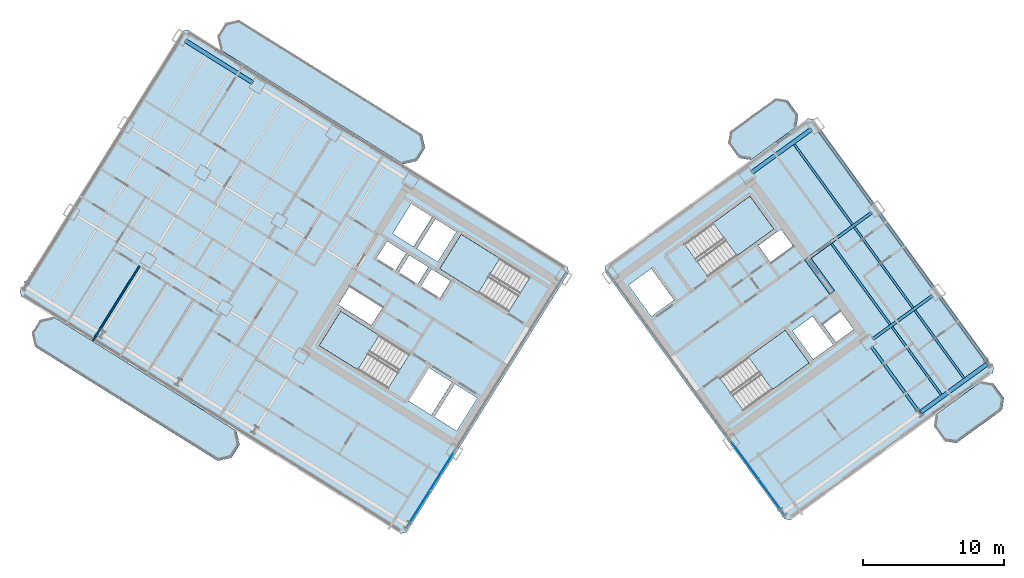
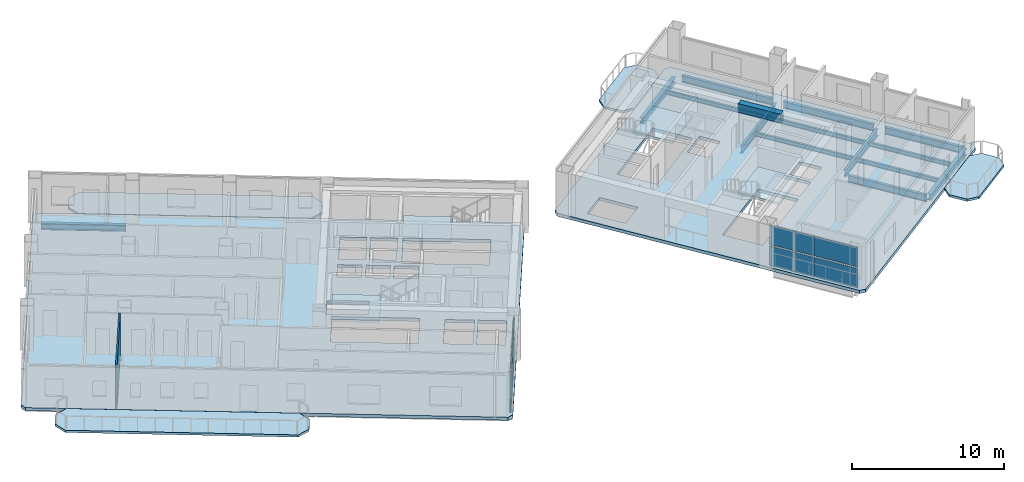
# One storey, part 9 of 19: 15 beams, 10 slabs, 8 plates, 1 wall, 6 elements without a shape of their own.
"""IFC4 building model written with IfcOpenShell, lengths in metres."""

from ifc_helpers import new_model, si_unit, direction, frame, frame_2d, origin, origin_2d, place, context, subcontext, project, spatial, polyline, rectangle, i_section, outline, extrude, source, transform, mapped, material, layer, layer_set, material_profile, profile_set, type_object, element, aggregate, save


model = new_model("IFC4")

# Units and contexts
model_context = context("Model", 3, precision=1e-05, world=origin(), true_north=direction((0.0, 1.0)))
body_context = subcontext(model_context, "Body", "Model", "MODEL_VIEW")
ifc_project = project(units=[si_unit("LENGTHUNIT", "METRE"), si_unit("AREAUNIT", "SQUARE_METRE"), si_unit("VOLUMEUNIT", "CUBIC_METRE"), si_unit("PLANEANGLEUNIT", "RADIAN"), si_unit("MASSUNIT", "GRAM", prefix="KILO")], contexts=[model_context])

# Site, building, storey
site_placement = place(None, origin())
site = spatial("IfcSite", under=ifc_project, at=site_placement, CompositionType="ELEMENT")
building_placement = place(site_placement, origin())
building = spatial("IfcBuilding", under=site, at=building_placement, Name="Tlacorven Tower", CompositionType="ELEMENT")
storey_placement = place(building_placement, frame((0.0, 0.0, 144.300048828125)))
storey = spatial("IfcBuildingStorey", under=building, at=storey_placement, Name="L36", CompositionType="ELEMENT", Elevation=144.300048828125)

# Beams
ifc_material_1 = material(Name="Concrete C60/75", Category="concrete")
ifc_material_profile_1 = material_profile(ifc_material_1, rectangle(XDim=0.449951171875, YDim=0.699951171875, at=origin_2d()), Name="RC 450X700")
ifc_profile_set_1 = profile_set([ifc_material_profile_1], Name="Concrete C60/75")
beam_type_1 = type_object("IfcBeamType", Name="BM-LNT-700", PredefinedType="LINTEL", material=ifc_profile_set_1)
shared_shape_1 = source(origin(), body_context, "Body", "SweptSolid", [
    extrude(rectangle(XDim=0.449951171875, YDim=0.699951171875, at=origin_2d()), origin(), (0.0, 0.0, 1.0), 3.050048828125),
])
beam_1_placement = place(storey_placement, frame((59.856689453125, 23.345947265625, 3.0), z_axis=(-0.587776590479, 0.80902328748, 0.0), x_axis=(-0.80902328748, -0.587776590479, 0.0)))
element("IfcBeam", 1, at=beam_1_placement, inside=storey, type_object=beam_type_1, Name="L36 E core coupling lintel beam E2", PredefinedType="LINTEL", context=body_context, shape_type="MappedRepresentation", body=[
    mapped(shared_shape_1, transform((0.0, 0.0, 0.0), scale=1.0)),
])
ifc_material_2 = material(Name="Steel S355J2", Category="steel")
ifc_material_profile_2 = material_profile(ifc_material_2, i_section(OverallWidth=0.300048828125, OverallDepth=0.489990234375, WebThickness=0.011962890625, FlangeThickness=0.02294921875, at=origin_2d()), Name="HEA 500")
ifc_profile_set_2 = profile_set([ifc_material_profile_2], Name="Steel S355J2")
beam_type_2 = type_object("IfcBeamType", Name="BM-SPN-500", PredefinedType="SPANDREL", material=ifc_profile_set_2)
shared_shape_2 = source(origin(), body_context, "Body", "SweptSolid", [
    extrude(i_section(OverallWidth=0.300048828125, OverallDepth=0.489990234375, WebThickness=0.011962890625, FlangeThickness=0.02294921875, at=origin_2d()), origin(), (0.0, 0.0, 1.0), 5.800048828125),
])
beam_2_placement = place(storey_placement, frame((66.138671875, 14.86962890625, -0.4951171875), z_axis=(0.809019944521, 0.587781191743, 0.0), x_axis=(-0.587781191743, 0.809019944521, 0.0)))
element("IfcBeam", 2, at=beam_2_placement, inside=storey, type_object=beam_type_2, Name="L36 beam BM-L36-EL1-3", PredefinedType="SPANDREL", context=body_context, shape_type="MappedRepresentation", body=[
    mapped(shared_shape_2, transform((0.0, 0.0, 0.0), scale=1.0)),
])
shared_shape_3 = source(origin(), body_context, "Body", "SweptSolid", [
    extrude(i_section(OverallWidth=0.300048828125, OverallDepth=0.489990234375, WebThickness=0.011962890625, FlangeThickness=0.02294921875, at=origin_2d()), origin(), (0.0, 0.0, 1.0), 5.599853515625),
])
beam_3_placement = place(storey_placement, frame((18.733642578125, 38.246337890625, -0.4951171875), z_axis=(-0.848047285686, 0.529920561254, 0.0), x_axis=(-0.529920561254, -0.848047285686, 0.0)))
element("IfcBeam", 3, at=beam_3_placement, inside=storey, type_object=beam_type_2, Name="L36 beam BM-L36-WL1-5", PredefinedType="SPANDREL", context=body_context, shape_type="MappedRepresentation", body=[
    mapped(shared_shape_3, transform((0.0, 0.0, 0.0), scale=1.0)),
])
ifc_material_profile_3 = material_profile(ifc_material_2, i_section(OverallWidth=0.2099609375, OverallDepth=0.550048828125, WebThickness=0.010986328125, FlangeThickness=0.01708984375, at=origin_2d()), Name="IPE 550")
ifc_profile_set_3 = profile_set([ifc_material_profile_3], Name="Steel S355J2")
beam_type_3 = type_object("IfcBeamType", Name="BM-TWR-550", PredefinedType="BEAM", material=ifc_profile_set_3)
shared_shape_4 = source(origin(), body_context, "Body", "SweptSolid", [
    extrude(i_section(OverallWidth=0.2099609375, OverallDepth=0.550048828125, WebThickness=0.010986328125, FlangeThickness=0.01708984375, at=origin_2d()), origin(), (0.0, 0.0, 1.0), 5.7001953125),
])
beam_4_placement = place(storey_placement, frame((70.853271484375, 18.41845703125, -0.525146484375), z_axis=(-0.587766699507, 0.809030473438, 0.0), x_axis=(-0.809030473438, -0.587766699507, 0.0)))
element("IfcBeam", 4, at=beam_4_placement, inside=storey, type_object=beam_type_3, Name="L36 beam BM-L36-ET4-1", PredefinedType="BEAM", context=body_context, shape_type="MappedRepresentation", body=[
    mapped(shared_shape_4, transform((0.0, 0.0, 0.0), scale=1.0)),
])
shared_shape_5 = source(origin(), body_context, "Body", "SweptSolid", [
    extrude(i_section(OverallWidth=0.2099609375, OverallDepth=0.550048828125, WebThickness=0.010986328125, FlangeThickness=0.01708984375, at=origin_2d()), origin(), (0.0, 0.0, 1.0), 5.699951171875),
])
beam_5_placement = place(storey_placement, frame((65.9990234375, 14.891845703125, -0.525146484375), z_axis=(-0.587787066966, 0.809015675935, 0.0), x_axis=(-0.809015675935, -0.587787066966, 0.0)))
element("IfcBeam", 5, at=beam_5_placement, inside=storey, type_object=beam_type_3, Name="L36 beam BM-L36-ET3-1", PredefinedType="BEAM", context=body_context, shape_type="MappedRepresentation", body=[
    mapped(shared_shape_5, transform((0.0, 0.0, 0.0), scale=1.0)),
])
shared_shape_6 = source(origin(), body_context, "Body", "SweptSolid", [
    extrude(i_section(OverallWidth=0.2099609375, OverallDepth=0.550048828125, WebThickness=0.010986328125, FlangeThickness=0.01708984375, at=origin_2d()), origin(), (0.0, 0.0, 1.0), 6.5),
])
for number, where, z_axis, x_axis, name in (
    (6, (67.03271484375, 23.67724609375, -0.525146484375), (-0.587809847215, 0.808999124547, 0.0), (-0.808999124547, -0.587809847215, 0.0), "L36 beam BM-L36-ET4-2"),
    (7, (62.74169921875, 29.5830078125, -0.525146484375), (-0.587785264321, 0.809016985636, 0.0), (-0.809016985636, -0.587785264321, 0.0), "L36 beam BM-L36-ET4-3"),
):
    element("IfcBeam", number, at=place(storey_placement, frame(where, z_axis=z_axis, x_axis=x_axis)), inside=storey, type_object=beam_type_3, Name=name, PredefinedType="BEAM", context=body_context, shape_type="MappedRepresentation", body=[
        mapped(shared_shape_6, transform((0.0, 0.0, 0.0), scale=1.0)),
    ])
shared_shape_7 = source(origin(), body_context, "Body", "SweptSolid", [
    extrude(i_section(OverallWidth=0.2099609375, OverallDepth=0.550048828125, WebThickness=0.010986328125, FlangeThickness=0.01708984375, at=origin_2d()), origin(), (0.0, 0.0, 1.0), 5.56005859375),
])
beam_6_placement = place(storey_placement, frame((58.155029296875, 25.756103515625, -0.525146484375), z_axis=(0.809028396397, 0.587769558435, 0.0), x_axis=(-0.587769558435, 0.809028396397, 0.0)))
element("IfcBeam", 8, at=beam_6_placement, inside=storey, type_object=beam_type_3, Name="L36 beam BM-L36-EL3-3", PredefinedType="BEAM", context=body_context, shape_type="MappedRepresentation", body=[
    mapped(shared_shape_7, transform((0.0, 0.0, 0.0), scale=1.0)),
])
ifc_material_profile_4 = material_profile(ifc_material_2, i_section(OverallWidth=0.159912109375, OverallDepth=0.330078125, WebThickness=0.007568359375, FlangeThickness=0.011474609375, at=origin_2d()), Name="IPE 330")
ifc_profile_set_4 = profile_set([ifc_material_profile_4], Name="Steel S355J2")
beam_type_4 = type_object("IfcBeamType", Name="BM-JST-330", PredefinedType="JOIST", material=ifc_profile_set_4)
shared_shape_8 = source(origin(), body_context, "Body", "SweptSolid", [
    extrude(i_section(OverallWidth=0.159912109375, OverallDepth=0.330078125, WebThickness=0.007568359375, FlangeThickness=0.011474609375, at=origin_2d()), origin(), (0.0, 0.0, 1.0), 5.93505859375),
])
for number, where, z_axis, x_axis, name in (
    (9, (67.584716796875, 16.11181640625, -0.4150390625), (-0.58778762431, 0.809015270998, 0.0), (-0.809015270998, -0.58778762431, 0.0), "L36 beam BM-L36-EJ3-1-1"),
    (10, (69.202880859375, 17.287353515625, -0.4150390625), (-0.58778762431, 0.809015270998, 0.0), (-0.809015270998, -0.58778762431, 0.0), "L36 beam BM-L36-EJ3-1-2"),
):
    element("IfcBeam", number, at=place(storey_placement, frame(where, z_axis=z_axis, x_axis=x_axis)), inside=storey, type_object=beam_type_4, Name=name, PredefinedType="JOIST", context=body_context, shape_type="MappedRepresentation", body=[
        mapped(shared_shape_8, transform((0.0, 0.0, 0.0), scale=1.0)),
    ])
shared_shape_9 = source(origin(), body_context, "Body", "SweptSolid", [
    extrude(i_section(OverallWidth=0.159912109375, OverallDepth=0.330078125, WebThickness=0.007568359375, FlangeThickness=0.011474609375, at=origin_2d()), origin(), (0.0, 0.0, 1.0), 7.080078125),
])
beam_7_placement = place(storey_placement, frame((65.5849609375, 22.266845703125, -0.4150390625), z_axis=(-0.587759505125, 0.809035700161, 0.0), x_axis=(-0.809035700161, -0.587759505125, 0.0)))
element("IfcBeam", 11, at=beam_7_placement, inside=storey, type_object=beam_type_4, Name="L36 beam BM-L36-EJ3-2-2", PredefinedType="JOIST", context=body_context, shape_type="MappedRepresentation", body=[
    mapped(shared_shape_9, transform((0.0, 0.0, 0.0), scale=1.0)),
])
shared_shape_10 = source(origin(), body_context, "Body", "SweptSolid", [
    extrude(i_section(OverallWidth=0.159912109375, OverallDepth=0.330078125, WebThickness=0.007568359375, FlangeThickness=0.011474609375, at=origin_2d()), origin(), (0.0, 0.0, 1.0), 7.034912109375),
])
beam_8_placement = place(storey_placement, frame((61.294189453125, 28.1728515625, -0.4150390625), z_axis=(-0.587781631373, 0.809019625115, 0.0), x_axis=(-0.809019625115, -0.587781631373, 0.0)))
element("IfcBeam", 12, at=beam_8_placement, inside=storey, type_object=beam_type_4, Name="L36 beam BM-L36-EJ3-3-2", PredefinedType="JOIST", context=body_context, shape_type="MappedRepresentation", body=[
    mapped(shared_shape_10, transform((0.0, 0.0, 0.0), scale=1.0)),
])
shared_shape_11 = source(origin(), body_context, "Body", "SweptSolid", [
    extrude(i_section(OverallWidth=0.159912109375, OverallDepth=0.330078125, WebThickness=0.007568359375, FlangeThickness=0.011474609375, at=origin_2d()), origin(), (0.0, 0.0, 1.0), 7.080322265625),
])
beam_9_placement = place(storey_placement, frame((63.967041015625, 21.09130859375, -0.4150390625), z_axis=(-0.587782074775, 0.809019302967, 0.0), x_axis=(-0.809019302967, -0.587782074775, 0.0)))
element("IfcBeam", 13, at=beam_9_placement, inside=storey, type_object=beam_type_4, Name="L36 beam BM-L36-EJ3-2-1", PredefinedType="JOIST", context=body_context, shape_type="MappedRepresentation", body=[
    mapped(shared_shape_11, transform((0.0, 0.0, 0.0), scale=1.0)),
])
shared_shape_12 = source(origin(), body_context, "Body", "SweptSolid", [
    extrude(i_section(OverallWidth=0.2099609375, OverallDepth=0.550048828125, WebThickness=0.010986328125, FlangeThickness=0.01708984375, at=origin_2d()), origin(), (0.0, 0.0, 1.0), 5.199951171875),
])
beam_10_placement = place(storey_placement, frame((62.7373046875, 20.06201171875, -0.525146484375), z_axis=(0.809018206713, 0.587783583648, 0.0), x_axis=(-0.587783583648, 0.809018206713, 0.0)))
element("IfcBeam", 14, at=beam_10_placement, inside=storey, type_object=beam_type_3, Name="L36 beam BM-L36-EL2-3", PredefinedType="BEAM", context=body_context, shape_type="MappedRepresentation", body=[
    mapped(shared_shape_12, transform((0.0, 0.0, 0.0), scale=1.0)),
])
shared_shape_13 = source(origin(), body_context, "Body", "SweptSolid", [
    extrude(i_section(OverallWidth=0.300048828125, OverallDepth=0.489990234375, WebThickness=0.011962890625, FlangeThickness=0.02294921875, at=origin_2d()), origin(), (0.0, 0.0, 1.0), 5.2001953125),
])
beam_11_placement = place(storey_placement, frame((54.155517578125, 31.87353515625, -0.4951171875), z_axis=(0.80901210161, 0.587791986546, 0.0), x_axis=(-0.587791986546, 0.80901210161, 0.0)))
element("IfcBeam", 15, at=beam_11_placement, inside=storey, type_object=beam_type_2, Name="L36 beam BM-L36-EL4-3", PredefinedType="SPANDREL", context=body_context, shape_type="MappedRepresentation", body=[
    mapped(shared_shape_13, transform((0.0, 0.0, 0.0), scale=1.0)),
])

# Slabs
ifc_material_3 = material(Name="Precast concrete C45/55", Category="concrete")
ifc_layer_1 = layer(ifc_material_3, 0.179931640625)
ifc_layer_set_1 = layer_set([ifc_layer_1], Name="Precast concrete C45/55")
slab_type_1 = type_object("IfcSlabType", Name="SL-BAL-180", PredefinedType="USERDEFINED", material=ifc_layer_set_1)
slab_1_placement = place(storey_placement, frame((0.0, 0.0, -0.179931640625)))
element("IfcSlab", 16, at=slab_1_placement, inside=storey, type_object=slab_type_1, Name="L36 West Wing Balcony Ribbon OUT", ObjectType="BALCONY SLAB", PredefinedType="USERDEFINED", context=body_context, shape_type="SweptSolid", body=[
    extrude(outline(polyline([(17.601318359375, 13.52490234375), (4.626220703125, 21.632568359375), (3.66162109375, 21.409912109375), (3.081298828125, 20.4814453125), (3.303955078125, 19.516845703125), (16.279052734375, 11.408935546875), (17.24365234375, 11.6318359375), (17.823974609375, 12.560302734375), (17.601318359375, 13.52490234375)])), origin(), (0.0, 0.0, 1.0), 0.179931640625),
])
slab_2_placement = place(storey_placement, frame((0.0, 0.0, -0.179931640625)))
element("IfcSlab", 17, at=slab_2_placement, inside=storey, type_object=slab_type_1, Name="L36 West Wing Balcony Ribbon IN", ObjectType="BALCONY SLAB", PredefinedType="USERDEFINED", context=body_context, shape_type="SweptSolid", body=[
    extrude(outline(polyline([(30.756591796875, 34.57763671875), (17.781494140625, 42.685546875), (16.81689453125, 42.462890625), (16.236572265625, 41.5341796875), (16.459228515625, 40.569580078125), (29.434326171875, 32.4619140625), (30.39892578125, 32.6845703125), (30.979248046875, 33.613037109375), (30.756591796875, 34.57763671875)])), origin(), (0.0, 0.0, 1.0), 0.179931640625),
])
slab_3_placement = place(storey_placement, frame((0.0, 0.0, -0.179931640625)))
element("IfcSlab", 18, at=slab_3_placement, inside=storey, type_object=slab_type_1, Name="L36 East Wing Balcony Ribbon OUT", ObjectType="BALCONY SLAB", PredefinedType="USERDEFINED", context=body_context, shape_type="SweptSolid", body=[
    extrude(outline(polyline([(68.669921875, 12.678955078125), (71.906005859375, 15.0302734375), (72.03857421875, 15.8681640625), (71.27734375, 16.916015625), (70.439453125, 17.048583984375), (67.203369140625, 14.697509765625), (67.070556640625, 13.859375), (67.831787109375, 12.811767578125), (68.669921875, 12.678955078125)])), origin(), (0.0, 0.0, 1.0), 0.179931640625),
])
slab_4_placement = place(storey_placement, frame((0.0, 0.0, -0.179931640625)))
element("IfcSlab", 19, at=slab_4_placement, inside=storey, type_object=slab_type_1, Name="L36 East Wing Balcony Ribbon IN", ObjectType="BALCONY SLAB", PredefinedType="USERDEFINED", context=body_context, shape_type="SweptSolid", body=[
    extrude(outline(polyline([(54.078125, 32.762939453125), (57.314208984375, 35.114013671875), (57.44677734375, 35.9521484375), (56.685791015625, 36.999755859375), (55.84765625, 37.132568359375), (52.611572265625, 34.78125), (52.478759765625, 33.943359375), (53.239990234375, 32.8955078125), (54.078125, 32.762939453125)])), origin(), (0.0, 0.0, 1.0), 0.179931640625),
])

# Stair, slab
ifc_material_4 = material(Name="Concrete C40/50", Category="concrete")
stair_type = type_object("IfcStairType", Name="ST-CORE-DLG", PredefinedType="HALF_TURN_STAIR", material=ifc_material_4)
stair_1_placement = place(storey_placement, origin())
stair_1 = element("IfcStair", 20, at=stair_1_placement, inside=storey, type_object=stair_type, Name="L36 Protected Exit Stair West 1", PredefinedType="HALF_TURN_STAIR")
ifc_layer_2 = layer(ifc_material_4, 0.199951171875)
ifc_layer_set_2 = layer_set([ifc_layer_2], Name="Concrete C40/50")
slab_type_2 = type_object("IfcSlabType", Name="SL-LND-200", PredefinedType="LANDING", material=ifc_layer_set_2)
slab_5_placement = place(storey_placement, frame((0.0, 0.0, 1.599853515625)))
slab_5 = element("IfcSlab", 21, at=slab_5_placement, type_object=slab_type_2, Name="ST-W1 landing 1", PredefinedType="LANDING", context=body_context, shape_type="SweptSolid", body=[
    extrude(outline(polyline([(27.728515625, 20.315185546875), (24.9892578125, 22.02685546875), (23.463134765625, 19.58447265625), (26.2021484375, 17.872802734375), (27.728515625, 20.315185546875)])), origin(), (0.0, 0.0, 1.0), 0.2001953125),
])
aggregate(stair_1, [slab_5])

stair_2_placement = place(storey_placement, origin())
stair_2 = element("IfcStair", 22, at=stair_2_placement, inside=storey, type_object=stair_type, Name="L36 Protected Exit Stair West 2", PredefinedType="HALF_TURN_STAIR")
slab_6_placement = place(storey_placement, frame((0.0, 0.0, 1.599853515625)))
slab_6 = element("IfcSlab", 23, at=slab_6_placement, type_object=slab_type_2, Name="ST-W2 landing 1", PredefinedType="LANDING", context=body_context, shape_type="SweptSolid", body=[
    extrude(outline(polyline([(36.280029296875, 25.772705078125), (33.540771484375, 27.484375), (32.0146484375, 25.0419921875), (34.75390625, 23.33056640625), (36.280029296875, 25.772705078125)])), origin(), (0.0, 0.0, 1.0), 0.2001953125),
])
aggregate(stair_2, [slab_6])

stair_3_placement = place(storey_placement, origin())
stair_3 = element("IfcStair", 24, at=stair_3_placement, inside=storey, type_object=stair_type, Name="L36 Protected Exit Stair East 1", PredefinedType="HALF_TURN_STAIR")
slab_7_placement = place(storey_placement, frame((0.0, 0.0, 1.599853515625)))
slab_7 = element("IfcSlab", 25, at=slab_7_placement, type_object=slab_type_2, Name="ST-E1 landing 1", PredefinedType="LANDING", context=body_context, shape_type="SweptSolid", body=[
    extrude(outline(polyline([(53.09765625, 25.962890625), (55.7109375, 27.861572265625), (54.01806640625, 30.19140625), (51.40478515625, 28.29296875), (53.09765625, 25.962890625)])), origin(), (0.0, 0.0, 1.0), 0.2001953125),
])
aggregate(stair_3, [slab_7])

stair_4_placement = place(storey_placement, origin())
stair_4 = element("IfcStair", 26, at=stair_4_placement, inside=storey, type_object=stair_type, Name="L36 Protected Exit Stair East 2", PredefinedType="HALF_TURN_STAIR")
slab_8_placement = place(storey_placement, frame((0.0, 0.0, 1.599853515625)))
slab_8 = element("IfcSlab", 27, at=slab_8_placement, type_object=slab_type_2, Name="ST-E2 landing 1", PredefinedType="LANDING", context=body_context, shape_type="SweptSolid", body=[
    extrude(outline(polyline([(55.601806640625, 16.4599609375), (58.21484375, 18.3583984375), (56.52197265625, 20.6884765625), (53.908935546875, 18.789794921875), (55.601806640625, 16.4599609375)])), origin(), (0.0, 0.0, 1.0), 0.2001953125),
])
aggregate(stair_4, [slab_8])

# Slabs
ifc_layer_3 = layer(ifc_material_4, 0.25)
ifc_layer_set_3 = layer_set([ifc_layer_3], Name="Concrete C40/50")
slab_type_3 = type_object("IfcSlabType", Name="SL-TWR-250", PredefinedType="FLOOR", material=ifc_layer_set_3)
slab_9_placement = place(storey_placement, frame((0.0, 0.0, -0.25)))
element("IfcSlab", 28, at=slab_9_placement, inside=storey, type_object=slab_type_3, Name="L36 West Wing Portal Floor Slab", PredefinedType="FLOOR", context=body_context, shape_type="SweptSolid", body=[
    extrude(outline(polyline([(41.06689453125, 25.18701171875), (14.1669921875, 41.99609375), (13.75341796875, 41.900634765625), (2.24365234375, 23.481201171875), (2.339111328125, 23.067626953125), (29.2392578125, 6.258544921875), (29.652587890625, 6.35400390625), (41.162353515625, 24.773681640625), (41.06689453125, 25.18701171875)]), holes=[polyline([(29.865478515625, 18.979736328125), (24.9892578125, 22.02685546875), (23.463134765625, 19.58447265625), (28.33935546875, 16.537353515625), (29.865478515625, 18.979736328125)]), polyline([(38.4169921875, 24.4375), (33.540771484375, 27.484375), (32.0146484375, 25.0419921875), (36.890869140625, 21.9951171875), (38.4169921875, 24.4375)]), polyline([(34.682373046875, 15.87548828125), (33.088134765625, 16.871826171875), (31.62548828125, 14.531005859375), (33.2197265625, 13.534912109375), (34.682373046875, 15.87548828125)]), polyline([(32.884521484375, 16.9990234375), (31.2392578125, 18.02685546875), (29.77685546875, 15.686279296875), (31.421875, 14.658203125), (32.884521484375, 16.9990234375)]), polyline([(33.197265625, 27.65185546875), (31.704833984375, 28.58447265625), (30.3798828125, 26.46435546875), (31.87255859375, 25.53173828125), (33.197265625, 27.65185546875)]), polyline([(31.484375, 28.722412109375), (29.99169921875, 29.655029296875), (28.6669921875, 27.534912109375), (30.159423828125, 26.602294921875), (31.484375, 28.722412109375)]), polyline([(32.794921875, 24.17724609375), (31.43798828125, 25.025146484375), (30.685546875, 23.82080078125), (32.042236328125, 22.972900390625), (32.794921875, 24.17724609375)]), polyline([(31.217529296875, 25.162841796875), (29.860595703125, 26.0107421875), (29.108154296875, 24.806396484375), (30.465087890625, 23.958740234375), (31.217529296875, 25.162841796875)]), polyline([(29.64013671875, 26.1484375), (28.283203125, 26.996337890625), (27.53076171875, 25.792236328125), (28.8876953125, 24.9443359375), (29.64013671875, 26.1484375)]), polyline([(27.96142578125, 22.2919921875), (25.603759765625, 23.76513671875), (24.80908203125, 22.4931640625), (27.16650390625, 21.02001953125), (27.96142578125, 22.2919921875)])]), origin(), (0.0, 0.0, 1.0), 0.25),
])
slab_10_placement = place(storey_placement, frame((0.0, 0.0, -0.25)))
element("IfcSlab", 29, at=slab_10_placement, inside=storey, type_object=slab_type_3, Name="L36 East Wing Portal Floor Slab", PredefinedType="FLOOR", context=body_context, shape_type="SweptSolid", body=[
    extrude(outline(polyline([(56.90966796875, 7.224853515625), (71.245361328125, 17.640380859375), (71.311767578125, 18.0595703125), (58.545166015625, 35.63134765625), (58.1259765625, 35.69775390625), (43.790283203125, 25.2822265625), (43.723876953125, 24.86328125), (56.49072265625, 7.291259765625), (56.90966796875, 7.224853515625)]), holes=[polyline([(51.05908203125, 24.481689453125), (55.7109375, 27.861572265625), (54.01806640625, 30.19140625), (49.3662109375, 26.811767578125), (51.05908203125, 24.481689453125)]), polyline([(53.56298828125, 14.978759765625), (58.21484375, 18.3583984375), (56.52197265625, 20.6884765625), (51.8701171875, 17.30859375), (53.56298828125, 14.978759765625)]), polyline([(47.0234375, 21.648681640625), (48.6416015625, 22.82421875), (47.019287109375, 25.05712890625), (45.401123046875, 23.881591796875), (47.0234375, 21.648681640625)]), polyline([(58.498779296875, 18.614013671875), (59.922607421875, 19.648681640625), (58.453125, 21.671142578125), (57.029296875, 20.63671875), (58.498779296875, 18.614013671875)]), polyline([(55.490478515625, 25.4765625), (57.092529296875, 26.640380859375), (56.210693359375, 27.85400390625), (54.60888671875, 26.690185546875), (55.490478515625, 25.4765625)]), polyline([(60.12109375, 19.817626953125), (61.38330078125, 20.734619140625), (60.45458984375, 22.012939453125), (59.192626953125, 21.095947265625), (60.12109375, 19.817626953125)])]), origin(), (0.0, 0.0, 1.0), 0.25),
])

# Curtain wall, plates
ifc_material_5 = material(Name="Dark solar low-E double glazing in aluminium frame", Category="aluminium")
curtain_wall_type = type_object("IfcCurtainWallType", Name="CW-TWR-MID", PredefinedType="USERDEFINED", material=ifc_material_5)
curtain_wall_1_placement = place(storey_placement, origin())
curtain_wall_1 = element("IfcCurtainWall", 30, at=curtain_wall_1_placement, inside=storey, type_object=curtain_wall_type, Name="L36 CW-TWR-MID Curtain Wall 163", ObjectType="UNITISED CURTAIN WALL", PredefinedType="USERDEFINED")
ifc_material_6 = material(Name="High-wind dark solar tempered low-E glazing", Category="glass")
ifc_layer_4 = layer(ifc_material_6, 0.028076171875)
ifc_layer_set_4 = layer_set([ifc_layer_4], Name="High-wind dark solar tempered low-E glazing")
plate_type = type_object("IfcPlateType", Name="CWP-03", PredefinedType="CURTAIN_PANEL", material=ifc_layer_set_4)
shared_shape_14 = source(origin(), body_context, "Body", "SweptSolid", [
    extrude(rectangle(XDim=3.1298828125, YDim=0.028076171875, at=origin_2d()), origin(), (0.0, 0.0, 1.0), 1.552978515625),
])
plate_1_placement = place(storey_placement, frame((32.1474609375, 10.648681640625, 0.06103515625), z_axis=(0.0, 0.0, 1.0), x_axis=(-0.529919272078, -0.848048091255, 0.0)))
plate_1 = element("IfcPlate", 31, at=plate_1_placement, type_object=plate_type, Name="CW-L36-163 Glazing Panel 1", PredefinedType="CURTAIN_PANEL", context=body_context, shape_type="MappedRepresentation", body=[
    mapped(shared_shape_14, transform((0.0, 0.0, 0.0), scale=1.0)),
])
plate_2_placement = place(storey_placement, frame((32.1474609375, 10.648681640625, 1.73583984375), z_axis=(0.0, 0.0, 1.0), x_axis=(-0.529919272078, -0.848048091255, 0.0)))
plate_2 = element("IfcPlate", 32, at=plate_2_placement, type_object=plate_type, Name="CW-L36-163 Glazing Panel 2", PredefinedType="CURTAIN_PANEL", context=body_context, shape_type="MappedRepresentation", body=[
    mapped(shared_shape_14, transform((0.0, 0.0, 0.0), scale=1.0)),
])
plate_3_placement = place(storey_placement, frame((30.4638671875, 7.95458984375, 0.06103515625), z_axis=(0.0, 0.0, 1.0), x_axis=(-0.529919272078, -0.848048091255, 0.0)))
plate_3 = element("IfcPlate", 33, at=plate_3_placement, type_object=plate_type, Name="CW-L36-163 Glazing Panel 3", PredefinedType="CURTAIN_PANEL", context=body_context, shape_type="MappedRepresentation", body=[
    mapped(shared_shape_14, transform((0.0, 0.0, 0.0), scale=1.0)),
])
plate_4_placement = place(storey_placement, frame((30.4638671875, 7.95458984375, 1.73583984375), z_axis=(0.0, 0.0, 1.0), x_axis=(-0.529919272078, -0.848048091255, 0.0)))
plate_4 = element("IfcPlate", 34, at=plate_4_placement, type_object=plate_type, Name="CW-L36-163 Glazing Panel 4", PredefinedType="CURTAIN_PANEL", context=body_context, shape_type="MappedRepresentation", body=[
    mapped(shared_shape_14, transform((0.0, 0.0, 0.0), scale=1.0)),
])
aggregate(curtain_wall_1, [plate_1, plate_2, plate_3, plate_4])

curtain_wall_2_placement = place(storey_placement, origin())
curtain_wall_2 = element("IfcCurtainWall", 35, at=curtain_wall_2_placement, inside=storey, type_object=curtain_wall_type, Name="L36 CW-TWR-MID Curtain Wall 164", ObjectType="UNITISED CURTAIN WALL", PredefinedType="USERDEFINED")
plate_5_placement = place(storey_placement, frame((55.569580078125, 8.831298828125, 0.06103515625), z_axis=(0.0, 0.0, 1.0), x_axis=(-0.587785363163, 0.809016913823, 0.0)))
plate_5 = element("IfcPlate", 36, at=plate_5_placement, type_object=plate_type, Name="CW-L36-164 Glazing Panel 1", PredefinedType="CURTAIN_PANEL", context=body_context, shape_type="MappedRepresentation", body=[
    mapped(shared_shape_14, transform((0.0, 0.0, 0.0), scale=1.0)),
])
plate_6_placement = place(storey_placement, frame((55.569580078125, 8.831298828125, 1.73583984375), z_axis=(0.0, 0.0, 1.0), x_axis=(-0.587785363163, 0.809016913823, 0.0)))
plate_6 = element("IfcPlate", 37, at=plate_6_placement, type_object=plate_type, Name="CW-L36-164 Glazing Panel 2", PredefinedType="CURTAIN_PANEL", context=body_context, shape_type="MappedRepresentation", body=[
    mapped(shared_shape_14, transform((0.0, 0.0, 0.0), scale=1.0)),
])
plate_7_placement = place(storey_placement, frame((53.7021484375, 11.4013671875, 0.06103515625), z_axis=(0.0, 0.0, 1.0), x_axis=(-0.587785363163, 0.809016913823, 0.0)))
plate_7 = element("IfcPlate", 38, at=plate_7_placement, type_object=plate_type, Name="CW-L36-164 Glazing Panel 3", PredefinedType="CURTAIN_PANEL", context=body_context, shape_type="MappedRepresentation", body=[
    mapped(shared_shape_14, transform((0.0, 0.0, 0.0), scale=1.0)),
])
plate_8_placement = place(storey_placement, frame((53.7021484375, 11.4013671875, 1.73583984375), z_axis=(0.0, 0.0, 1.0), x_axis=(-0.587785363163, 0.809016913823, 0.0)))
plate_8 = element("IfcPlate", 39, at=plate_8_placement, type_object=plate_type, Name="CW-L36-164 Glazing Panel 4", PredefinedType="CURTAIN_PANEL", context=body_context, shape_type="MappedRepresentation", body=[
    mapped(shared_shape_14, transform((0.0, 0.0, 0.0), scale=1.0)),
])
aggregate(curtain_wall_2, [plate_5, plate_6, plate_7, plate_8])

# Wall
ifc_material_7 = material(Name="Gypsum plasterboard partition", Category="gypsum")
ifc_layer_5 = layer(ifc_material_7, 0.110107421875)
ifc_layer_set_5 = layer_set([ifc_layer_5], Name="Gypsum plasterboard partition")
wall_type = type_object("IfcWallType", Name="WL-INT-110", PredefinedType="PARTITIONING", material=ifc_layer_set_5)
wall_placement = place(storey_placement, frame((10.717041015625, 25.23779296875, 0.0), z_axis=(0.0, 0.0, 1.0), x_axis=(-0.52991804857, -0.848048855786, 0.0)))
element("IfcWall", 40, at=wall_placement, inside=storey, type_object=wall_type, Name="L36 partition 64", PredefinedType="PARTITIONING", context=body_context, shape_type="SweptSolid", body=[
    extrude(rectangle(XDim=6.239990234375, YDim=0.110107421875, at=frame_2d((3.1201171875, 0.0))), origin(), (0.0, 0.0, 1.0), 3.33984375),
])

save(model, "model.ifc")
